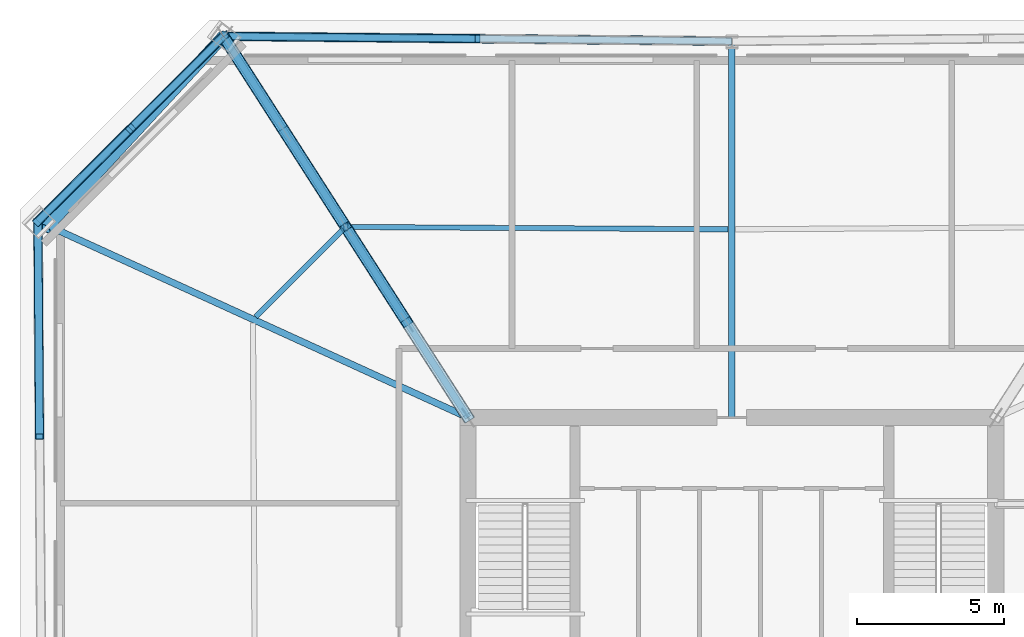
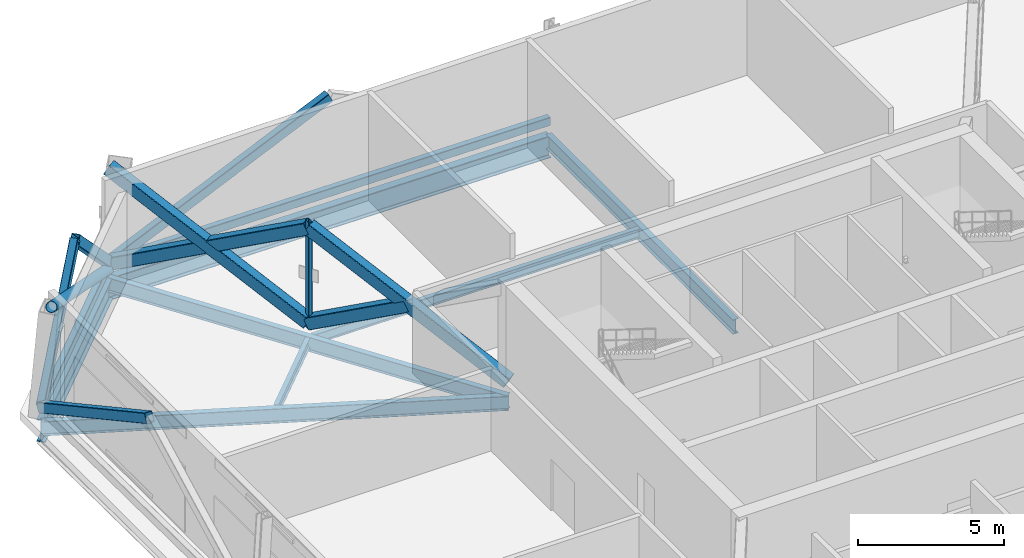
# One storey, part 7 of 15: 13 members, 7 beams.
"""IFC4 building model written with IfcOpenShell, lengths in metres."""

from ifc_helpers import new_model, si_unit, direction, frame, origin, origin_2d, place, context, subcontext, project, spatial, hollow_rectangle, hollow_circle, i_section, extrude, material, material_profile, profile_set, type_object, element, save


model = new_model("IFC4")

# Units and contexts
model_context = context("Model", 3, precision=1e-05, world=origin(), true_north=direction((0.0, 1.0)))
body_context = subcontext(model_context, "Body", "Model", "MODEL_VIEW")
ifc_project = project(units=[si_unit("LENGTHUNIT", "METRE"), si_unit("AREAUNIT", "SQUARE_METRE"), si_unit("VOLUMEUNIT", "CUBIC_METRE"), si_unit("PLANEANGLEUNIT", "RADIAN"), si_unit("MASSUNIT", "GRAM", prefix="KILO")], contexts=[model_context])

# Site, building, storey
site_placement = place(None, origin())
site = spatial("IfcSite", under=ifc_project, at=site_placement, CompositionType="ELEMENT")
building_placement = place(site_placement, origin())
building = spatial("IfcBuilding", under=site, at=building_placement, Name="Caelvoria Tower", CompositionType="ELEMENT")
storey_placement = place(building_placement, frame((0.0, 0.0, 167.199951171875)))
storey = spatial("IfcBuildingStorey", under=building, at=storey_placement, Name="L44", CompositionType="ELEMENT", Elevation=167.199951171875)

# Members
ifc_material_1 = material(Name="Structural Steel ASTM A572 Gr.50", Category="steel")
ifc_material_profile_1 = material_profile(ifc_material_1, hollow_rectangle(XDim=0.25, YDim=0.35009765625, WallThickness=0.013916015625, InnerFilletRadius=0.013916015625, OuterFilletRadius=0.028076171875, at=origin_2d()), Name="Structural Steel ASTM A572 Gr.50")
ifc_profile_set_1 = profile_set([ifc_material_profile_1], Name="HSS350X250X14 - Structural Steel ASTM A572 Gr.50")
member_type_1 = type_object("IfcMemberType", Name="Belt Truss Chord Member HSS350X250X14", PredefinedType="CHORD", material=ifc_profile_set_1)
member_1_placement = place(storey_placement, frame((46.0, 52.840087890625, 0.25), z_axis=(-0.999954850569, 0.009502464053, 0.0), x_axis=(-0.009502464053, -0.999954850569, 0.0)))
element("IfcMember", 1, at=member_1_placement, inside=storey, type_object=member_type_1, Name="Belt Truss Bottom Chord L44-07", PredefinedType="CHORD", context=body_context, shape_type="SweptSolid", body=[
    extrude(hollow_rectangle(XDim=0.25, YDim=0.35009765625, WallThickness=0.013916015625, InnerFilletRadius=0.013916015625, OuterFilletRadius=0.028076171875, at=origin_2d()), origin(), (0.0, 0.0, 1.0), 17.34228515625),
])
member_2_placement = place(storey_placement, frame((28.658447265625, 53.0048828125, 0.25), z_axis=(-0.708349364736, -0.705862010224, 0.0), x_axis=(0.705862010224, -0.708349364736, 0.0)))
element("IfcMember", 2, at=member_2_placement, inside=storey, type_object=member_type_1, Name="Belt Truss Bottom Chord L44-08", PredefinedType="CHORD", context=body_context, shape_type="SweptSolid", body=[
    extrude(hollow_rectangle(XDim=0.25, YDim=0.35009765625, WallThickness=0.013916015625, InnerFilletRadius=0.013916015625, OuterFilletRadius=0.028076171875, at=origin_2d()), origin(), (0.0, 0.0, 1.0), 8.931884765625),
])
ifc_material_profile_2 = material_profile(ifc_material_1, hollow_rectangle(XDim=0.300048828125, YDim=0.39990234375, WallThickness=0.01611328125, InnerFilletRadius=0.01611328125, OuterFilletRadius=0.031982421875, at=origin_2d()), Name="Structural Steel ASTM A572 Gr.50")
ifc_profile_set_2 = profile_set([ifc_material_profile_2], Name="HSS400X300X16 - Structural Steel ASTM A572 Gr.50")
member_type_2 = type_object("IfcMemberType", Name="Belt Truss Diagonal HSS400X300X16", PredefinedType="BRACE", material=ifc_profile_set_2)
member_3_placement = place(storey_placement, frame((37.3291015625, 52.92236328125, 4.22998046875), z_axis=(-0.908795233621, 0.008649100069, -0.4171527495), x_axis=(-0.00951667447, -0.999954715428, 0.0)))
element("IfcMember", 3, at=member_3_placement, inside=storey, type_object=member_type_2, Name="Belt Truss Diagonal L44-07B", PredefinedType="BRACE", context=body_context, shape_type="SweptSolid", body=[
    extrude(hollow_rectangle(XDim=0.300048828125, YDim=0.39990234375, WallThickness=0.01611328125, InnerFilletRadius=0.01611328125, OuterFilletRadius=0.031982421875, at=origin_2d()), origin(), (0.0, 0.0, 1.0), 9.540771484375),
])
member_4_placement = place(storey_placement, frame((28.658447265625, 53.0048828125, 0.25), z_axis=(-0.52880922095, -0.52697265269, 0.665327461598), x_axis=(0.705875677056, -0.708335745633, 0.0)))
element("IfcMember", 4, at=member_4_placement, inside=storey, type_object=member_type_2, Name="Belt Truss Diagonal L44-08A", PredefinedType="BRACE", context=body_context, shape_type="SweptSolid", body=[
    extrude(hollow_rectangle(XDim=0.300048828125, YDim=0.39990234375, WallThickness=0.01611328125, InnerFilletRadius=0.01611328125, OuterFilletRadius=0.031982421875, at=origin_2d()), origin(), (0.0, 0.0, 1.0), 5.98193359375),
])
member_5_placement = place(storey_placement, frame((25.4951171875, 49.8525390625, 4.22998046875), z_axis=(-0.528838619815, -0.526961279446, -0.665313102349), x_axis=(0.705848343659, -0.708362983049, 0.0)))
element("IfcMember", 5, at=member_5_placement, inside=storey, type_object=member_type_2, Name="Belt Truss Diagonal L44-08B", PredefinedType="BRACE", context=body_context, shape_type="SweptSolid", body=[
    extrude(hollow_rectangle(XDim=0.300048828125, YDim=0.39990234375, WallThickness=0.01611328125, InnerFilletRadius=0.01611328125, OuterFilletRadius=0.031982421875, at=origin_2d()), origin(), (0.0, 0.0, 1.0), 5.982177734375),
])
member_6_placement = place(storey_placement, frame((22.33154296875, 46.7001953125, 0.25), z_axis=(0.006484203153, -0.879339730318, 0.476150809926), x_axis=(0.999972813573, 0.007373744922, 0.0)))
element("IfcMember", 6, at=member_6_placement, inside=storey, type_object=member_type_2, Name="Belt Truss Diagonal L44-09A", PredefinedType="BRACE", context=body_context, shape_type="SweptSolid", body=[
    extrude(hollow_rectangle(XDim=0.300048828125, YDim=0.39990234375, WallThickness=0.01611328125, InnerFilletRadius=0.01611328125, OuterFilletRadius=0.031982421875, at=origin_2d()), origin(), (0.0, 0.0, 1.0), 8.358642578125),
])
ifc_material_profile_3 = material_profile(ifc_material_1, hollow_rectangle(XDim=0.39990234375, YDim=0.5, WallThickness=0.02197265625, InnerFilletRadius=0.02197265625, OuterFilletRadius=0.0439453125, at=origin_2d()), Name="Structural Steel ASTM A572 Gr.50")
ifc_profile_set_3 = profile_set([ifc_material_profile_3], Name="HSS500X400X22 - Structural Steel ASTM A572 Gr.50")
member_type_3 = type_object("IfcMemberType", Name="Outrigger Diagonal HSS500X400X22", PredefinedType="BRACE", material=ifc_profile_set_3)
member_7_placement = place(storey_placement, frame((37.0, 40.0, 0.25), z_axis=(-0.479958044206, 0.748255827054, 0.457988529422), x_axis=(-0.841722265045, -0.539910759782, 0.0)))
element("IfcMember", 7, at=member_7_placement, inside=storey, type_object=member_type_3, Name="Outrigger Truss Diagonal L44-NW-1A", PredefinedType="BRACE", context=body_context, shape_type="SweptSolid", body=[
    extrude(hollow_rectangle(XDim=0.39990234375, YDim=0.5, WallThickness=0.02197265625, InnerFilletRadius=0.02197265625, OuterFilletRadius=0.0439453125, at=origin_2d()), origin(), (0.0, 0.0, 1.0), 8.690185546875),
])
member_8_placement = place(storey_placement, frame((34.91455078125, 43.251220703125, 2.239990234375), z_axis=(-0.479958044206, 0.748255827054, -0.457988529422), x_axis=(-0.841722265045, -0.539910759782, 0.0)))
element("IfcMember", 8, at=member_8_placement, inside=storey, type_object=member_type_3, Name="Outrigger Truss Diagonal L44-NW-1B2", PredefinedType="BRACE", context=body_context, shape_type="SweptSolid", body=[
    extrude(hollow_rectangle(XDim=0.39990234375, YDim=0.5, WallThickness=0.02197265625, InnerFilletRadius=0.02197265625, OuterFilletRadius=0.0439453125, at=origin_2d()), origin(), (0.0, 0.0, 1.0), 4.344970703125),
])
member_9_placement = place(storey_placement, frame((32.8291015625, 46.50244140625, 0.25), z_axis=(-0.479936421488, 0.748265916403, 0.457994704859), x_axis=(-0.841736627266, -0.539888368386, 0.0)))
element("IfcMember", 9, at=member_9_placement, inside=storey, type_object=member_type_3, Name="Outrigger Truss Diagonal L44-NW-2A", PredefinedType="BRACE", context=body_context, shape_type="SweptSolid", body=[
    extrude(hollow_rectangle(XDim=0.39990234375, YDim=0.5, WallThickness=0.02197265625, InnerFilletRadius=0.02197265625, OuterFilletRadius=0.0439453125, at=origin_2d()), origin(), (0.0, 0.0, 1.0), 8.68994140625),
])
for number, where, z_axis, x_axis, name in (
    (10, (32.8291015625, 46.50244140625, 4.22998046875), (-0.479914797896, 0.74827600557, -0.458000880183), (-0.841750989382, -0.539865975844, 0.0), "Outrigger Truss Diagonal L44-NW-2B1"),
    (11, (30.743896484375, 49.753662109375, 2.239990234375), (-0.479958044206, 0.748255827054, -0.457988529422), (-0.841722265045, -0.539910759782, 0.0), "Outrigger Truss Diagonal L44-NW-2B2"),
):
    element("IfcMember", number, at=place(storey_placement, frame(where, z_axis=z_axis, x_axis=x_axis)), inside=storey, type_object=member_type_3, Name=name, PredefinedType="BRACE", context=body_context, shape_type="SweptSolid", body=[
        extrude(hollow_rectangle(XDim=0.39990234375, YDim=0.5, WallThickness=0.02197265625, InnerFilletRadius=0.02197265625, OuterFilletRadius=0.0439453125, at=origin_2d()), origin(), (0.0, 0.0, 1.0), 4.344970703125),
    ])

# Beams
ifc_material_2 = material(Name="Structural Steel ASTM A992 Gr.50", Category="steel")
ifc_material_profile_4 = material_profile(ifc_material_2, i_section(OverallWidth=0.30810546875, OverallDepth=0.927001953125, WebThickness=0.019287109375, FlangeThickness=0.031982421875, FilletRadius=0.02392578125, at=origin_2d()), Name="Structural Steel ASTM A992 Gr.50")
ifc_profile_set_4 = profile_set([ifc_material_profile_4], Name="W920X289 - Structural Steel ASTM A992 Gr.50")
beam_type_1 = type_object("IfcBeamType", Name="Outrigger Tie Girder W920X289", PredefinedType="BEAM", material=ifc_profile_set_4)
beam_1_placement = place(storey_placement, frame((46.0, 52.840087890625, -0.783447265625), z_axis=(-0.999954850569, 0.009502464053, 0.0), x_axis=(-0.009502464053, -0.999954850569, 0.0)))
element("IfcBeam", 12, at=beam_1_placement, inside=storey, type_object=beam_type_1, Name="Perimeter Spandrel Girder L44-07", PredefinedType="BEAM", context=body_context, shape_type="SweptSolid", body=[
    extrude(i_section(OverallWidth=0.30810546875, OverallDepth=0.927001953125, WebThickness=0.019287109375, FlangeThickness=0.031982421875, FilletRadius=0.02392578125, at=origin_2d()), origin(), (0.0, 0.0, 1.0), 17.34228515625),
])
beam_2_placement = place(storey_placement, frame((28.658447265625, 53.0048828125, -0.783447265625), z_axis=(-0.708349364736, -0.705862010224, 0.0), x_axis=(0.705862010224, -0.708349364736, 0.0)))
element("IfcBeam", 13, at=beam_2_placement, inside=storey, type_object=beam_type_1, Name="Perimeter Spandrel Girder L44-08", PredefinedType="BEAM", context=body_context, shape_type="SweptSolid", body=[
    extrude(i_section(OverallWidth=0.30810546875, OverallDepth=0.927001953125, WebThickness=0.019287109375, FlangeThickness=0.031982421875, FilletRadius=0.02392578125, at=origin_2d()), origin(), (0.0, 0.0, 1.0), 8.931884765625),
])
ifc_material_profile_5 = material_profile(ifc_material_2, i_section(OverallWidth=0.22802734375, OverallDepth=0.60302734375, WebThickness=0.010498046875, FlangeThickness=0.014892578125, FilletRadius=0.01806640625, at=origin_2d()), Name="Structural Steel ASTM A992 Gr.50")
ifc_profile_set_5 = profile_set([ifc_material_profile_5], Name="W610X101 - Structural Steel ASTM A992 Gr.50")
beam_type_2 = type_object("IfcBeamType", Name="Primary Floor Girder W610X101", PredefinedType="BEAM", material=ifc_profile_set_5)
beam_3_placement = place(storey_placement, frame((46.0, 40.0, -0.621337890625), z_axis=(0.0, 1.0, 0.0), x_axis=(-1.0, 0.0, 0.0)))
element("IfcBeam", 14, at=beam_3_placement, inside=storey, type_object=beam_type_2, Name="Primary Floor Girder L44-07", PredefinedType="BEAM", context=body_context, shape_type="SweptSolid", body=[
    extrude(i_section(OverallWidth=0.22802734375, OverallDepth=0.60302734375, WebThickness=0.010498046875, FlangeThickness=0.014892578125, FilletRadius=0.01806640625, at=origin_2d()), origin(), (0.0, 0.0, 1.0), 12.840087890625),
])
beam_4_placement = place(storey_placement, frame((37.0, 40.0, -0.621337890625), z_axis=(-0.539899564227, 0.841729446169, 0.0), x_axis=(-0.841729446169, -0.539899564227, 0.0)))
element("IfcBeam", 15, at=beam_4_placement, inside=storey, type_object=beam_type_2, Name="Primary Floor Girder L44-08", PredefinedType="BEAM", context=body_context, shape_type="SweptSolid", body=[
    extrude(i_section(OverallWidth=0.22802734375, OverallDepth=0.60302734375, WebThickness=0.010498046875, FlangeThickness=0.014892578125, FilletRadius=0.01806640625, at=origin_2d()), origin(), (0.0, 0.0, 1.0), 15.4501953125),
])
beam_5_placement = place(storey_placement, frame((37.0, 40.0, -0.621337890625), z_axis=(-0.909600700285, 0.415483532816, 0.0), x_axis=(-0.415483532816, -0.909600700285, 0.0)))
element("IfcBeam", 16, at=beam_5_placement, inside=storey, type_object=beam_type_2, Name="Primary Floor Girder L44-09", PredefinedType="BEAM", context=body_context, shape_type="SweptSolid", body=[
    extrude(i_section(OverallWidth=0.22802734375, OverallDepth=0.60302734375, WebThickness=0.010498046875, FlangeThickness=0.014892578125, FilletRadius=0.01806640625, at=origin_2d()), origin(), (0.0, 0.0, 1.0), 16.126220703125),
])
ifc_material_profile_6 = material_profile(ifc_material_2, i_section(OverallWidth=0.177978515625, OverallDepth=0.406982421875, WebThickness=0.0078125, FlangeThickness=0.0126953125, FilletRadius=0.013916015625, at=origin_2d()), Name="Structural Steel ASTM A992 Gr.50")
ifc_profile_set_6 = profile_set([ifc_material_profile_6], Name="W410X60 - Structural Steel ASTM A992 Gr.50")
beam_type_3 = type_object("IfcBeamType", Name="Secondary Floor Beam W410X60", PredefinedType="BEAM", material=ifc_profile_set_6)
beam_6_placement = place(storey_placement, frame((45.875, 46.4208984375, -0.5234375), z_axis=(-0.999980442744, 0.006254129063, 0.0), x_axis=(-0.006254129063, -0.999980442744, 0.0)))
element("IfcBeam", 17, at=beam_6_placement, inside=storey, type_object=beam_type_3, Name="Secondary Floor Beam L44-07", PredefinedType="BEAM", context=body_context, shape_type="SweptSolid", body=[
    extrude(i_section(OverallWidth=0.177978515625, OverallDepth=0.406982421875, WebThickness=0.0078125, FlangeThickness=0.0126953125, FilletRadius=0.013916015625, at=origin_2d()), origin(), (0.0, 0.0, 1.0), 12.921142578125),
])
beam_7_placement = place(storey_placement, frame((32.74072265625, 46.414306640625, -0.5234375), z_axis=(-0.708321788303, -0.705889682751, 0.0), x_axis=(0.705889682751, -0.708321788303, 0.0)))
element("IfcBeam", 18, at=beam_7_placement, inside=storey, type_object=beam_type_3, Name="Secondary Floor Beam L44-08", PredefinedType="BEAM", context=body_context, shape_type="SweptSolid", body=[
    extrude(i_section(OverallWidth=0.177978515625, OverallDepth=0.406982421875, WebThickness=0.0078125, FlangeThickness=0.0126953125, FilletRadius=0.013916015625, at=origin_2d()), origin(), (0.0, 0.0, 1.0), 4.216064453125),
])

# Members
ifc_material_profile_7 = material_profile(ifc_material_1, hollow_rectangle(XDim=0.14990234375, YDim=0.25, WallThickness=0.010009765625, InnerFilletRadius=0.010009765625, OuterFilletRadius=0.02001953125, at=origin_2d()), Name="Structural Steel ASTM A572 Gr.50")
ifc_profile_set_7 = profile_set([ifc_material_profile_7], Name="HSS250X150X10 - Structural Steel ASTM A572 Gr.50")
member_type_4 = type_object("IfcMemberType", Name="Sky Pool Truss Post HSS250X150X10", PredefinedType="POST", material=ifc_profile_set_7)
member_10_placement = place(storey_placement, frame((32.8291015625, 46.50244140625, 0.0), z_axis=(0.0, 0.0, 1.0), x_axis=(1.0, 0.0, 0.0)))
element("IfcMember", 19, at=member_10_placement, inside=storey, type_object=member_type_4, Name="Outrigger Mid-Panel Post L44-NW", PredefinedType="POST", context=body_context, shape_type="SweptSolid", body=[
    extrude(hollow_rectangle(XDim=0.14990234375, YDim=0.25, WallThickness=0.010009765625, InnerFilletRadius=0.010009765625, OuterFilletRadius=0.02001953125, at=origin_2d()), origin(), (0.0, 0.0, 1.0), 4.47998046875),
])
ifc_material_profile_8 = material_profile(ifc_material_1, hollow_circle(Radius=0.202880859375, WallThickness=0.01611328125, at=origin_2d()), Name="Structural Steel ASTM A572 Gr.50")
ifc_profile_set_8 = profile_set([ifc_material_profile_8], Name="CHS406X16 - Structural Steel ASTM A572 Gr.50")
member_type_5 = type_object("IfcMemberType", Name="Upper Perimeter Mega Brace CHS406X16", PredefinedType="BRACE", material=ifc_profile_set_8)
member_11_placement = place(storey_placement, frame((28.658447265625, 53.0048828125, 0.0), z_axis=(-0.606763280143, -0.65651078675, 0.448142732567), x_axis=(0.734383310325, -0.678734965591, 0.0)))
element("IfcMember", 20, at=member_11_placement, inside=storey, type_object=member_type_5, Name="Perimeter Chamfer Mega Brace L44 NW", PredefinedType="BRACE", context=body_context, shape_type="SweptSolid", body=[
    extrude(hollow_circle(Radius=0.202880859375, WallThickness=0.01611328125, at=origin_2d()), origin(), (0.0, 0.0, 1.0), 9.996826171875),
])

save(model, "model.ifc")
